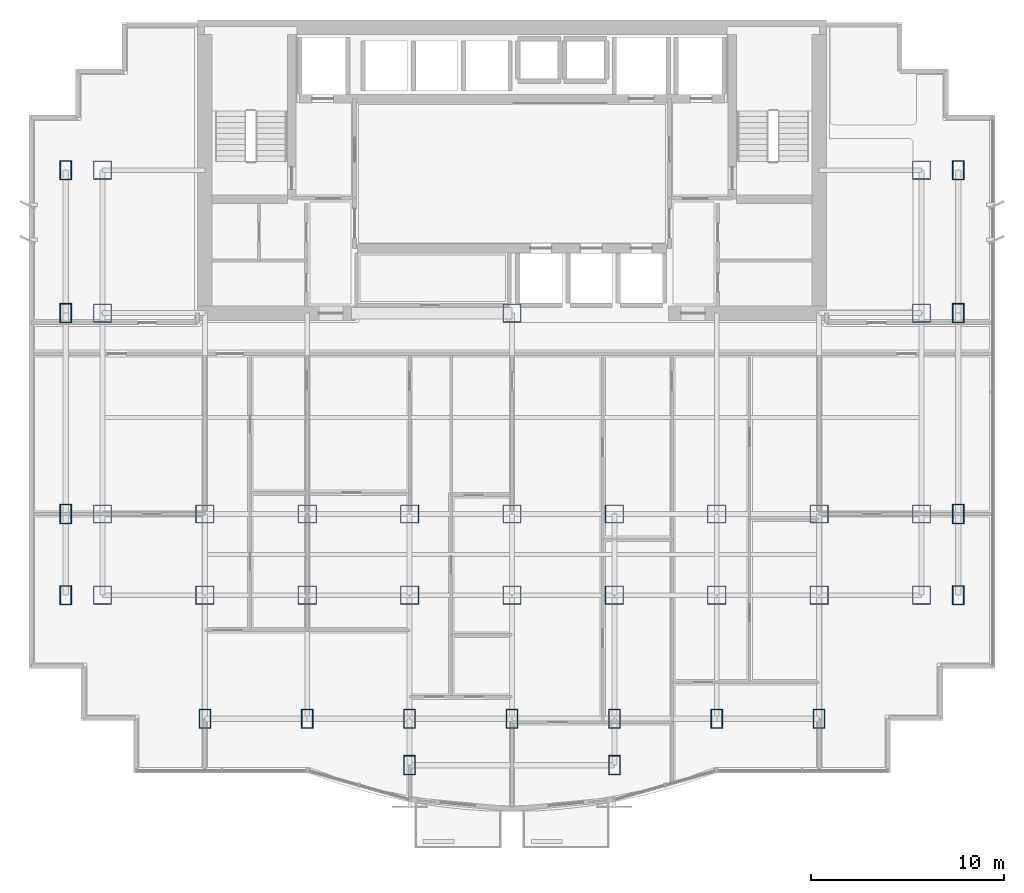
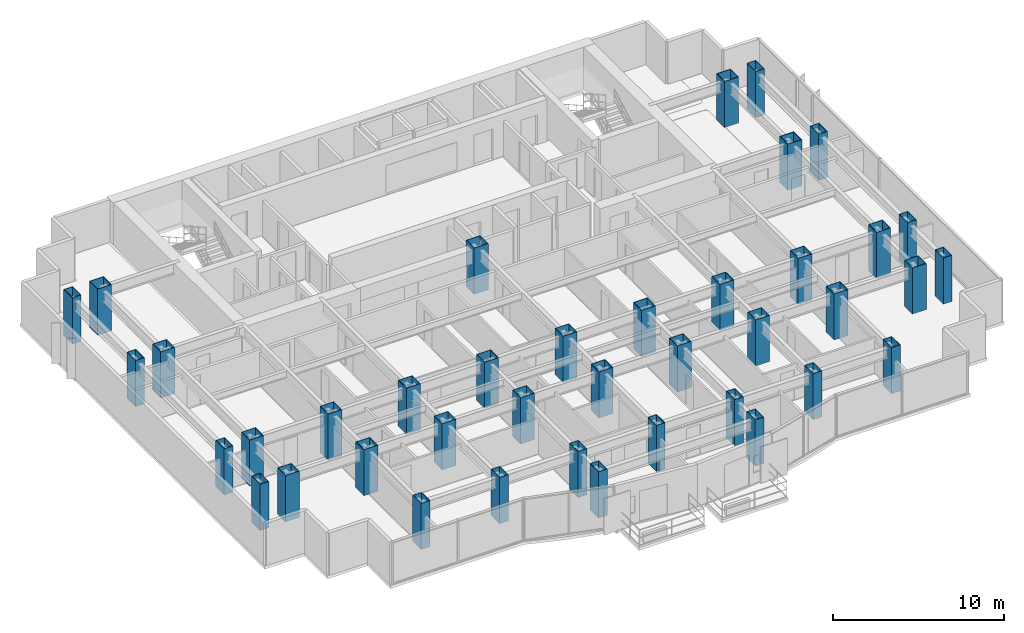
# One storey, part 1 of 11: 40 columns.
"""IFC4 building model written with IfcOpenShell, lengths in metres."""

from ifc_helpers import new_model, si_unit, direction, frame, origin, origin_2d, place, context, subcontext, project, spatial, hollow_rectangle, extrude, material, material_profile, profile_set, type_object, element, save


model = new_model("IFC4")

# Units and contexts
model_context = context("Model", 3, precision=1e-05, world=origin(), true_north=direction((0.0, 1.0)))
body_context = subcontext(model_context, "Body", "Model", "MODEL_VIEW")
ifc_project = project(units=[si_unit("LENGTHUNIT", "METRE"), si_unit("AREAUNIT", "SQUARE_METRE"), si_unit("VOLUMEUNIT", "CUBIC_METRE"), si_unit("PLANEANGLEUNIT", "RADIAN"), si_unit("MASSUNIT", "GRAM", prefix="KILO")], contexts=[model_context])

# Site, building, storey
site_placement = place(None, origin())
site = spatial("IfcSite", under=ifc_project, at=site_placement, CompositionType="ELEMENT")
building_placement = place(site_placement, origin())
building = spatial("IfcBuilding", under=site, at=building_placement, Name="Qianlan Lanfeng Residences", CompositionType="ELEMENT")
storey_placement = place(building_placement, frame((0.0, 0.0, 124.60009765625)))
storey = spatial("IfcBuildingStorey", under=building, at=storey_placement, Name="L34", CompositionType="ELEMENT", Elevation=124.60009765625)

# Columns
ifc_material = material(Name="Steel SN490B", Category="steel")
ifc_material_profile_1 = material_profile(ifc_material, hollow_rectangle(XDim=0.949951171875, YDim=0.949951171875, WallThickness=0.031982421875, at=origin_2d()), Name="BOX 950x950x32")
ifc_profile_set_1 = profile_set([ifc_material_profile_1], Name="Steel SN490B")
column_type_1 = type_object("IfcColumnType", Name="C-B1100", PredefinedType="COLUMN", material=ifc_profile_set_1)
for number, where, z_axis, x_axis, name in (
    (1, (26.5, 25.199951171875, 0.0), (0.0, 0.0, 1.0), (1.0, 0.0, 0.0), "L34 Structural Column CP_26.5_25.2"),
    (2, (10.60009765625, 14.800048828125, 0.0), (0.0, 0.0, 1.0), (1.0, 0.0, 0.0), "L34 Structural Column M_10.60_14.80"),
    (3, (10.60009765625, 10.60009765625, 0.0), (0.0, 0.0, 1.0), (1.0, 0.0, 0.0), "L34 Structural Column G_10.60_10.60"),
    (4, (15.89990234375, 14.800048828125, 0.0), (0.0, 0.0, 1.0), (1.0, 0.0, 0.0), "L34 Structural Column M_15.90_14.80"),
    (5, (15.89990234375, 10.60009765625, 0.0), (0.0, 0.0, 1.0), (1.0, 0.0, 0.0), "L34 Structural Column G_15.90_10.60"),
    (6, (21.199951171875, 14.800048828125, 0.0), (0.0, 0.0, 1.0), (1.0, 0.0, 0.0), "L34 Structural Column M_21.20_14.80"),
    (7, (21.199951171875, 10.60009765625, 0.0), (0.0, 0.0, 1.0), (1.0, 0.0, 0.0), "L34 Structural Column G_21.20_10.60"),
    (8, (26.5, 14.800048828125, 0.0), (0.0, 0.0, 1.0), (1.0, 0.0, 0.0), "L34 Structural Column M_26.50_14.80"),
    (9, (26.5, 10.60009765625, 0.0), (0.0, 0.0, 1.0), (1.0, 0.0, 0.0), "L34 Structural Column G_26.50_10.60"),
    (10, (31.800048828125, 14.800048828125, 0.0), (0.0, 0.0, 1.0), (1.0, 0.0, 0.0), "L34 Structural Column M_31.80_14.80"),
    (11, (31.800048828125, 10.60009765625, 0.0), (0.0, 0.0, 1.0), (1.0, 0.0, 0.0), "L34 Structural Column G_31.80_10.60"),
    (12, (37.10009765625, 14.800048828125, 0.0), (0.0, 0.0, 1.0), (1.0, 0.0, 0.0), "L34 Structural Column M_37.10_14.80"),
    (13, (37.10009765625, 10.60009765625, 0.0), (0.0, 0.0, 1.0), (1.0, 0.0, 0.0), "L34 Structural Column G_37.10_10.60"),
    (14, (42.39990234375, 14.800048828125, 0.0), (0.0, 0.0, 1.0), (1.0, 0.0, 0.0), "L34 Structural Column M_42.40_14.80"),
    (15, (42.39990234375, 10.60009765625, 0.0), (0.0, 0.0, 1.0), (1.0, 0.0, 0.0), "L34 Structural Column G_42.40_10.60"),
    (16, (5.300048828125, 10.60009765625, 0.0), (0.0, 0.0, 1.0), (1.0, 0.0, 0.0), "L34 Structural Column W_5.30_10.60"),
    (17, (5.300048828125, 14.800048828125, 0.0), (0.0, 0.0, 1.0), (1.0, 0.0, 0.0), "L34 Structural Column W_5.30_14.80"),
    (18, (5.300048828125, 25.199951171875, 0.0), (0.0, 0.0, 1.0), (1.0, 0.0, 0.0), "L34 Structural Column W_5.30_25.20"),
    (19, (5.300048828125, 32.60009765625, 0.0), (0.0, 0.0, 1.0), (1.0, 0.0, 0.0), "L34 Structural Column W_5.30_32.60"),
    (20, (47.699951171875, 10.60009765625, 0.0), (0.0, 0.0, 1.0), (1.0, 0.0, 0.0), "L34 Structural Column W_47.70_10.60"),
    (21, (47.699951171875, 14.800048828125, 0.0), (0.0, 0.0, 1.0), (1.0, 0.0, 0.0), "L34 Structural Column W_47.70_14.80"),
    (22, (47.699951171875, 25.199951171875, 0.0), (0.0, 0.0, 1.0), (1.0, 0.0, 0.0), "L34 Structural Column W_47.70_25.20"),
    (23, (47.699951171875, 32.60009765625, 0.0), (0.0, 0.0, 1.0), (1.0, 0.0, 0.0), "L34 Structural Column W_47.70_32.60"),
):
    element("IfcColumn", number, at=place(storey_placement, frame(where, z_axis=z_axis, x_axis=x_axis)), inside=storey, type_object=column_type_1, Name=name, PredefinedType="COLUMN", context=body_context, shape_type="SweptSolid", body=[
        extrude(hollow_rectangle(XDim=0.949951171875, YDim=0.949951171875, WallThickness=0.031982421875, at=origin_2d()), origin(), (0.0, 0.0, 1.0), 3.2998046875),
    ])
ifc_material_profile_2 = material_profile(ifc_material, hollow_rectangle(XDim=0.60009765625, YDim=1.0, WallThickness=0.031982421875, at=origin_2d()), Name="BOX 1000x600x32")
ifc_profile_set_2 = profile_set([ifc_material_profile_2], Name="Steel SN490B")
column_type_2 = type_object("IfcColumnType", Name="CE-B1100", PredefinedType="COLUMN", material=ifc_profile_set_2)
for number, where, z_axis, x_axis, name in (
    (24, (21.199951171875, 1.800048828125, 0.0), (0.0, 0.0, 1.0), (1.0, 0.0, 0.0), "L34 Structural Column P_21.20_1.80"),
    (25, (31.800048828125, 1.800048828125, 0.0), (0.0, 0.0, 1.0), (1.0, 0.0, 0.0), "L34 Structural Column P_31.80_1.80"),
    (26, (10.60009765625, 4.199951171875, 0.0), (0.0, 0.0, 1.0), (1.0, 0.0, 0.0), "L34 Structural Column S_10.60_4.20"),
    (27, (15.89990234375, 4.199951171875, 0.0), (0.0, 0.0, 1.0), (1.0, 0.0, 0.0), "L34 Structural Column S_15.90_4.20"),
    (28, (21.199951171875, 4.199951171875, 0.0), (0.0, 0.0, 1.0), (1.0, 0.0, 0.0), "L34 Structural Column S_21.20_4.20"),
    (29, (26.5, 4.199951171875, 0.0), (0.0, 0.0, 1.0), (1.0, 0.0, 0.0), "L34 Structural Column S_26.50_4.20"),
    (30, (31.800048828125, 4.199951171875, 0.0), (0.0, 0.0, 1.0), (1.0, 0.0, 0.0), "L34 Structural Column S_31.80_4.20"),
    (31, (37.10009765625, 4.199951171875, 0.0), (0.0, 0.0, 1.0), (1.0, 0.0, 0.0), "L34 Structural Column S_37.10_4.20"),
    (32, (42.39990234375, 4.199951171875, 0.0), (0.0, 0.0, 1.0), (1.0, 0.0, 0.0), "L34 Structural Column S_42.40_4.20"),
    (33, (3.39990234375, 10.60009765625, 0.0), (0.0, 0.0, 1.0), (1.0, 0.0, 0.0), "L34 Structural Column W_3.40_10.60"),
    (34, (3.39990234375, 14.800048828125, 0.0), (0.0, 0.0, 1.0), (1.0, 0.0, 0.0), "L34 Structural Column W_3.40_14.80"),
    (35, (3.39990234375, 25.199951171875, 0.0), (0.0, 0.0, 1.0), (1.0, 0.0, 0.0), "L34 Structural Column W_3.40_25.20"),
    (36, (3.39990234375, 32.60009765625, 0.0), (0.0, 0.0, 1.0), (1.0, 0.0, 0.0), "L34 Structural Column W_3.40_32.60"),
    (37, (49.60009765625, 10.60009765625, 0.0), (0.0, 0.0, 1.0), (1.0, 0.0, 0.0), "L34 Structural Column W_49.60_10.60"),
    (38, (49.60009765625, 14.800048828125, 0.0), (0.0, 0.0, 1.0), (1.0, 0.0, 0.0), "L34 Structural Column W_49.60_14.80"),
    (39, (49.60009765625, 25.199951171875, 0.0), (0.0, 0.0, 1.0), (1.0, 0.0, 0.0), "L34 Structural Column W_49.60_25.20"),
    (40, (49.60009765625, 32.60009765625, 0.0), (0.0, 0.0, 1.0), (1.0, 0.0, 0.0), "L34 Structural Column W_49.60_32.60"),
):
    element("IfcColumn", number, at=place(storey_placement, frame(where, z_axis=z_axis, x_axis=x_axis)), inside=storey, type_object=column_type_2, Name=name, PredefinedType="COLUMN", context=body_context, shape_type="SweptSolid", body=[
        extrude(hollow_rectangle(XDim=0.60009765625, YDim=1.0, WallThickness=0.031982421875, at=origin_2d()), origin(), (0.0, 0.0, 1.0), 3.2998046875),
    ])

save(model, "model.ifc")
